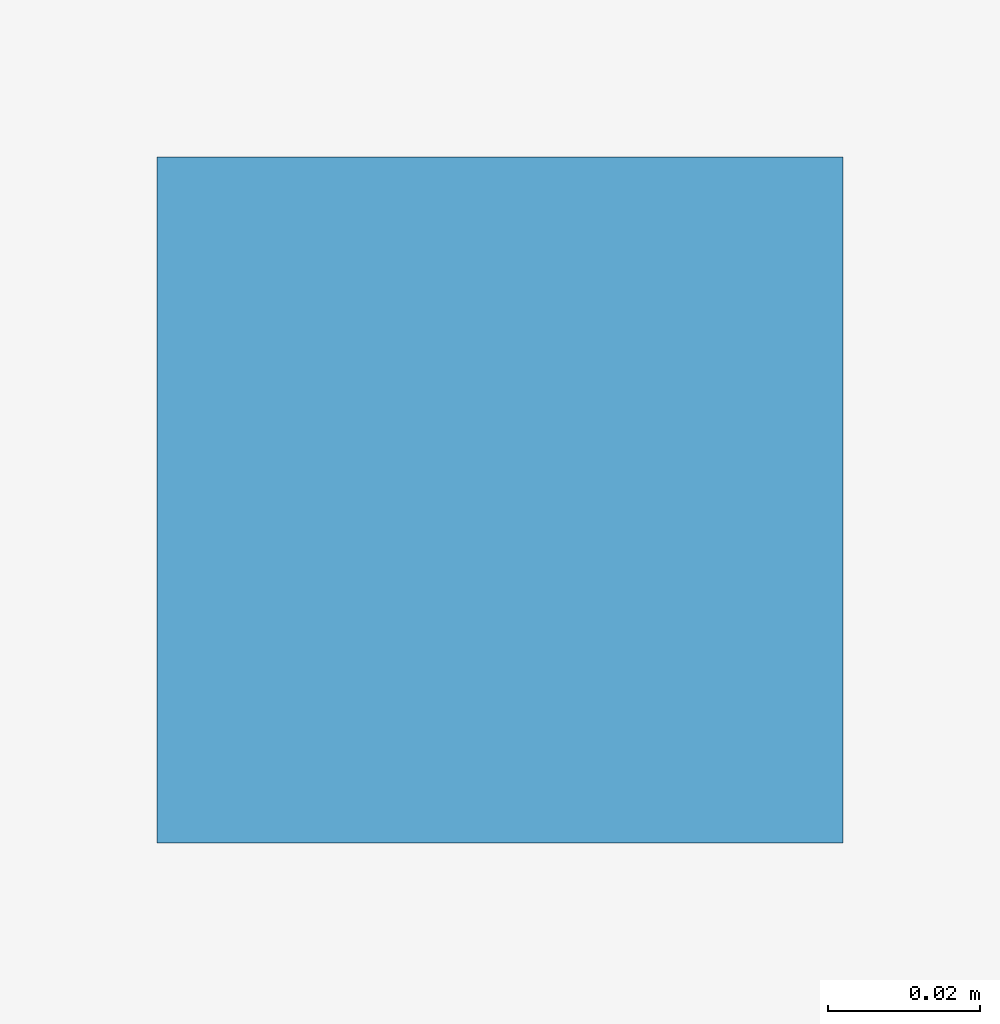
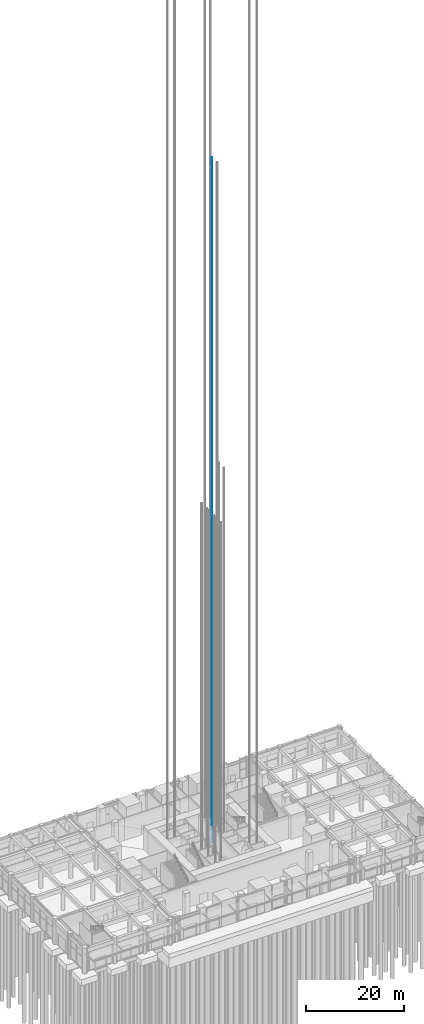
# One storey, part 38 of 46: 1 discrete accessory.
"""IFC4 building model written with IfcOpenShell, lengths in metres."""

from ifc_helpers import new_model, si_unit, direction, frame, origin, origin_2d, place, context, subcontext, project, spatial, rectangle, extrude, element, save


model = new_model("IFC4")

# Units and contexts
model_context = context("Model", 3, precision=1e-05, world=origin(), true_north=direction((0.0, 1.0)))
body_context = subcontext(model_context, "Body", "Model", "MODEL_VIEW")
ifc_project = project(units=[si_unit("LENGTHUNIT", "METRE"), si_unit("AREAUNIT", "SQUARE_METRE"), si_unit("VOLUMEUNIT", "CUBIC_METRE"), si_unit("PLANEANGLEUNIT", "RADIAN"), si_unit("MASSUNIT", "GRAM", prefix="KILO")], contexts=[model_context])

# Site, building, storey
site_placement = place(None, origin())
site = spatial("IfcSite", under=ifc_project, at=site_placement, CompositionType="ELEMENT")
building_placement = place(site_placement, origin())
building = spatial("IfcBuilding", under=site, at=building_placement, Name="Svetlomir Tower", CompositionType="ELEMENT")
storey_placement = place(building_placement, origin())
storey = spatial("IfcBuildingStorey", under=building, at=storey_placement, Name="L00", CompositionType="ELEMENT", Elevation=0.0)

# Discrete accessory
discrete_accessory_placement = place(storey_placement, frame((24.050048828125, 26.375, 0.0), z_axis=(0.0, 0.0, 1.0), x_axis=(1.0, 0.0, 0.0)))
element("IfcDiscreteAccessory", 1, at=discrete_accessory_placement, inside=storey, Name="Lift SH2 guide rail 2", ObjectType="LIFT GUIDE RAIL", PredefinedType="USERDEFINED", context=body_context, shape_type="SweptSolid", body=[
    extrude(rectangle(XDim=0.090087890625, YDim=0.090087890625, at=origin_2d()), origin(), (0.0, 0.0, 1.0), 169.949951171875),
])

save(model, "model.ifc")
